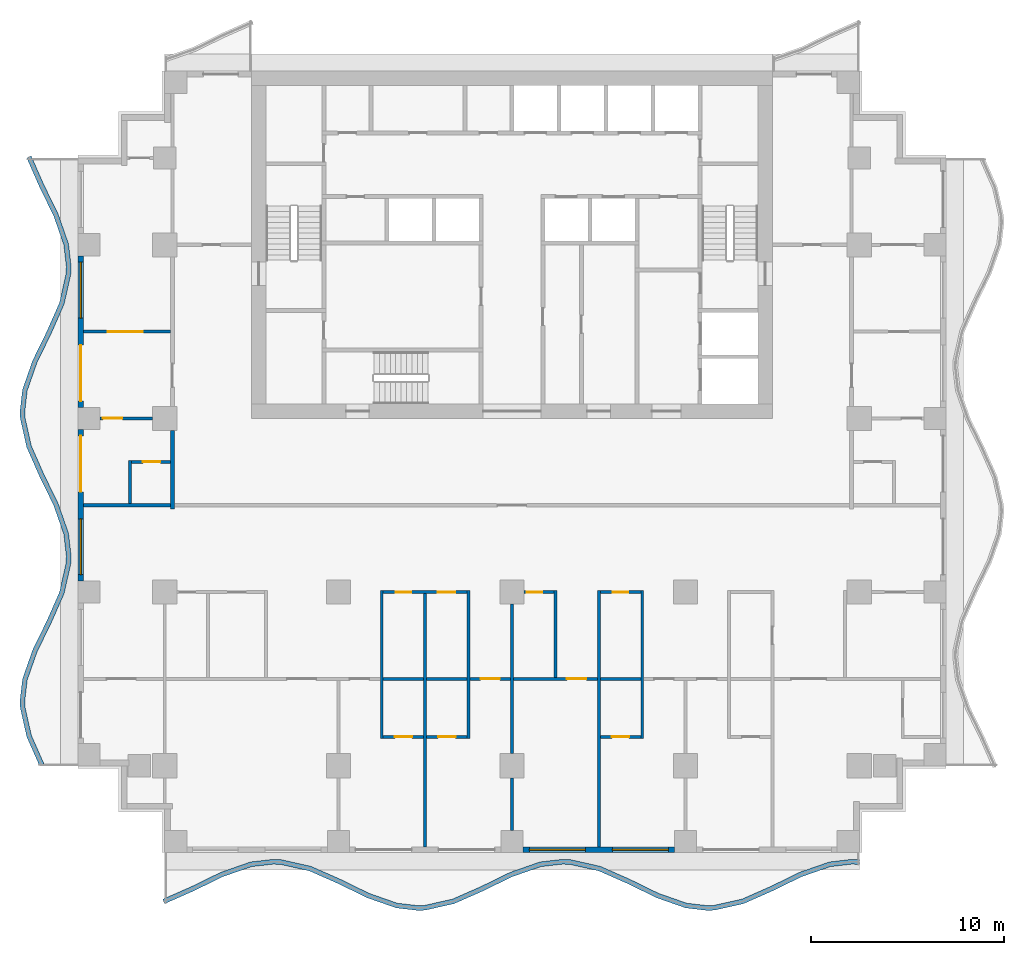
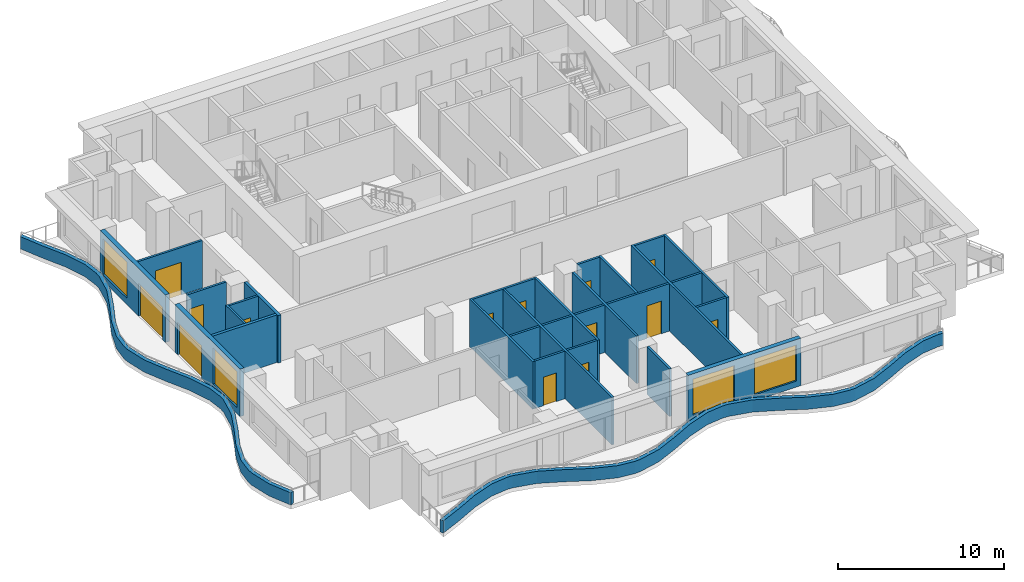
# One storey, part 2 of 10: 30 walls, 14 doors, 4 windows, 18 openings.
"""IFC4 building model written with IfcOpenShell, lengths in metres."""

from ifc_helpers import new_model, si_unit, direction, frame, frame_2d, origin, place, context, subcontext, project, spatial, polyline, rectangle, outline, extrude, material, layer, layer_set, type_object, element, fill, save


model = new_model("IFC4")

# Units and contexts
model_context = context("Model", 3, precision=1e-05, world=origin(), true_north=direction((0.0, 1.0)))
body_context = subcontext(model_context, "Body", "Model", "MODEL_VIEW")
ifc_project = project(units=[si_unit("LENGTHUNIT", "METRE"), si_unit("AREAUNIT", "SQUARE_METRE"), si_unit("VOLUMEUNIT", "CUBIC_METRE"), si_unit("PLANEANGLEUNIT", "RADIAN"), si_unit("MASSUNIT", "GRAM", prefix="KILO")], contexts=[model_context])

# Site, building, storey
site_placement = place(None, origin())
site = spatial("IfcSite", under=ifc_project, at=site_placement, CompositionType="ELEMENT")
building_placement = place(site_placement, origin())
building = spatial("IfcBuilding", under=site, at=building_placement, Name="Orbiselva Terraces", CompositionType="ELEMENT")
storey_placement = place(building_placement, frame((0.0, 0.0, 155.4)))
storey = spatial("IfcBuildingStorey", under=building, at=storey_placement, Name="L39", CompositionType="ELEMENT", Elevation=155.4)

# Walls
ifc_material_1 = material(Name="Concrete C40/50", Category="concrete")
ifc_layer_1 = layer(ifc_material_1, 0.25)
ifc_layer_set_1 = layer_set([ifc_layer_1], Name="Concrete C40/50")
wall_type_1 = type_object("IfcWallType", Name="ENV-PLANTER-250x900", PredefinedType="USERDEFINED", material=ifc_layer_set_1)
wall_1_placement = place(storey_placement, origin())
element("IfcWall", 1, at=wall_1_placement, inside=storey, type_object=wall_type_1, Name="Balcony planter L39 S", ObjectType="PLANTER", PredefinedType="USERDEFINED", context=body_context, shape_type="SweptSolid", body=[
    extrude(outline(polyline([(-18.0, -20.648528), (-16.5, -19.987721), (-15.0, -19.255211), (-13.5, -18.730792), (-12.375, -18.6), (-12.0, -18.614774), (-10.5, -18.951472), (-9.0, -19.612279), (-7.5, -20.344789), (-6.0, -20.869208), (-4.875, -21.0), (-4.5, -20.985226), (-3.0, -20.648528), (-1.5, -19.987721), (0.0, -19.255211), (1.5, -18.730792), (2.625, -18.6), (3.0, -18.614774), (4.5, -18.951472), (6.0, -19.612279), (7.5, -20.344789), (9.0, -20.869208), (10.125, -21.0), (10.5, -20.985226), (12.0, -20.648528), (13.5, -19.987721), (15.0, -19.255211), (16.5, -18.730792), (17.625, -18.6), (18.0, -18.614774), (18.009842, -18.364968), (17.615428, -18.349429), (16.443629, -18.485662), (14.90356, -19.024089), (13.394714, -19.760919), (11.921492, -20.40993), (10.467435, -20.736315), (10.134572, -20.749429), (9.056371, -20.624078), (7.59644, -20.113667), (6.105286, -19.385477), (4.578508, -18.712874), (3.032565, -18.365863), (2.615428, -18.349429), (1.443629, -18.485662), (-0.09644, -19.024089), (-1.605286, -19.760919), (-3.078508, -20.40993), (-4.532565, -20.736315), (-4.865428, -20.749429), (-5.943629, -20.624078), (-7.40356, -20.113667), (-8.894714, -19.385477), (-10.421492, -18.712874), (-11.967435, -18.365863), (-12.384572, -18.349429), (-13.556371, -18.485662), (-15.09644, -19.024089), (-16.605286, -19.760919), (-18.100788, -20.419745), (-18.0, -20.648528)])), origin(), (0.0, 0.0, 1.0), 0.9),
])
wall_2_placement = place(storey_placement, origin())
element("IfcWall", 2, at=wall_2_placement, inside=storey, type_object=wall_type_1, Name="Balcony planter L39 W", ObjectType="PLANTER", PredefinedType="USERDEFINED", context=body_context, shape_type="SweptSolid", body=[
    extrude(outline(polyline([(-25.148528, 18.0), (-24.487721, 16.5), (-23.755211, 15.0), (-23.230792, 13.5), (-23.1, 12.375), (-23.114774, 12.0), (-23.451472, 10.5), (-24.112279, 9.0), (-24.844789, 7.5), (-25.369208, 6.0), (-25.5, 4.875), (-25.485226, 4.5), (-25.148528, 3.0), (-24.487721, 1.5), (-23.755211, 0.0), (-23.230792, -1.5), (-23.1, -2.625), (-23.114774, -3.0), (-23.451472, -4.5), (-24.112279, -6.0), (-24.844789, -7.5), (-25.369208, -9.0), (-25.5, -10.125), (-25.485226, -10.5), (-25.148528, -12.0), (-24.487721, -13.5), (-24.258938, -13.399212), (-24.90993, -11.921492), (-25.236315, -10.467435), (-25.249429, -10.134572), (-25.124078, -9.056371), (-24.613667, -7.59644), (-23.885477, -6.105286), (-23.212874, -4.578508), (-22.865863, -3.032565), (-22.849429, -2.615428), (-22.985662, -1.443629), (-23.524089, 0.09644), (-24.260919, 1.605286), (-24.90993, 3.078508), (-25.236315, 4.532565), (-25.249429, 4.865428), (-25.124078, 5.943629), (-24.613667, 7.40356), (-23.885477, 8.894714), (-23.212874, 10.421492), (-22.865863, 11.967435), (-22.849429, 12.384572), (-22.985662, 13.556371), (-23.524089, 15.09644), (-24.260919, 16.605286), (-24.919745, 18.100788), (-25.148528, 18.0)])), origin(), (0.0, 0.0, 1.0), 0.9),
])

# Wall, openings, windows
ifc_material_2 = material(Name="Terracotta cladding on masonry backing", Category="masonry")
ifc_layer_2 = layer(ifc_material_2, 0.3)
ifc_layer_set_2 = layer_set([ifc_layer_2], Name="Terracotta cladding on masonry backing")
wall_type_2 = type_object("IfcWallType", Name="ENV-WALL-TERRACOTTA-300", PredefinedType="SOLIDWALL", material=ifc_layer_set_2)
wall_3_placement = place(storey_placement, frame((8.425, -17.85, 0.0), z_axis=(0.0, 0.0, 1.0), x_axis=(-1.0, 0.0, 0.0)))
wall_3 = element("IfcWall", 3, at=wall_3_placement, inside=storey, type_object=wall_type_2, Name="Facade wall L39 S", PredefinedType="SOLIDWALL", context=body_context, shape_type="SweptSolid", body=[
    extrude(rectangle(XDim=7.85, YDim=0.3, at=frame_2d((3.925, 0.0))), origin(), (0.0, 0.0, 1.0), 3.5),
])
opening_1_placement = place(wall_3_placement, frame((4.625, 0.0, 0.45)))
opening_1 = element("IfcOpeningElement", 4, at=opening_1_placement, cuts=wall_3, Name="Opening WN8", PredefinedType="OPENING", context=body_context, shape_type="SweptSolid", body=[
    extrude(rectangle(XDim=2.9, YDim=2.65, at=frame_2d((1.45, 1.325))), frame((0.0, 0.16, 0.0), z_axis=(0.0, -1.0, 0.0), x_axis=(1.0, 0.0, 0.0)), (0.0, 0.0, 1.0), 0.32),
])
opening_2_placement = place(wall_3_placement, frame((0.325, 0.0, 0.45)))
opening_2 = element("IfcOpeningElement", 5, at=opening_2_placement, cuts=wall_3, Name="Opening WN8", PredefinedType="OPENING", context=body_context, shape_type="SweptSolid", body=[
    extrude(rectangle(XDim=2.9, YDim=2.65, at=frame_2d((1.45, 1.325))), frame((0.0, 0.16, 0.0), z_axis=(0.0, -1.0, 0.0), x_axis=(1.0, 0.0, 0.0)), (0.0, 0.0, 1.0), 0.32),
])
ifc_material_3 = material(Name="Clear low-e glazing in aluminium frame", Category="aluminium")
window_type = type_object("IfcWindowType", Name="WINDOW 2900 X 2650 S450", PartitioningType="TRIPLE_PANEL_VERTICAL", PredefinedType="WINDOW", material=ifc_material_3)
window_1_placement = place(opening_1_placement, origin())
window_1 = element("IfcWindow", 6, at=window_1_placement, inside=storey, type_object=window_type, Name="Window L39 S", OverallHeight=2.65, OverallWidth=2.9, PartitioningType="SINGLE_PANEL", PredefinedType="WINDOW", context=body_context, shape_type="SweptSolid", body=[
    extrude(rectangle(XDim=2.9, YDim=2.65, at=frame_2d((1.45, 1.325))), frame((0.0, 0.03, 0.0), z_axis=(0.0, -1.0, 0.0), x_axis=(1.0, 0.0, 0.0)), (0.0, 0.0, 1.0), 0.06),
])
fill(opening_1, window_1)
window_2_placement = place(opening_2_placement, origin())
window_2 = element("IfcWindow", 7, at=window_2_placement, inside=storey, type_object=window_type, Name="Window L39 S", OverallHeight=2.65, OverallWidth=2.9, PartitioningType="SINGLE_PANEL", PredefinedType="WINDOW", context=body_context, shape_type="SweptSolid", body=[
    extrude(rectangle(XDim=2.9, YDim=2.65, at=frame_2d((1.45, 1.325))), frame((0.0, 0.03, 0.0), z_axis=(0.0, -1.0, 0.0), x_axis=(1.0, 0.0, 0.0)), (0.0, 0.0, 1.0), 0.06),
])
fill(opening_2, window_2)

# Wall, openings, door, window
wall_4_placement = place(storey_placement, frame((-22.35, 5.075, 0.0), z_axis=(0.0, 0.0, 1.0), x_axis=(0.0, 1.0, 0.0)))
wall_4 = element("IfcWall", 8, at=wall_4_placement, inside=storey, type_object=wall_type_2, Name="Facade wall L39 W", PredefinedType="SOLIDWALL", context=body_context, shape_type="SweptSolid", body=[
    extrude(rectangle(XDim=7.85, YDim=0.3, at=frame_2d((3.925, 0.0))), origin(), (0.0, 0.0, 1.0), 3.5),
])
opening_3_placement = place(wall_4_placement, frame((4.625, 0.0, 0.45)))
opening_3 = element("IfcOpeningElement", 9, at=opening_3_placement, cuts=wall_4, Name="Opening WN8", PredefinedType="OPENING", context=body_context, shape_type="SweptSolid", body=[
    extrude(rectangle(XDim=2.9, YDim=2.65, at=frame_2d((1.45, 1.325))), frame((0.0, 0.16, 0.0), z_axis=(0.0, -1.0, 0.0), x_axis=(1.0, 0.0, 0.0)), (0.0, 0.0, 1.0), 0.32),
])
opening_4_placement = place(wall_4_placement, frame((0.325, 0.0, 0.0)))
opening_4 = element("IfcOpeningElement", 10, at=opening_4_placement, cuts=wall_4, Name="Opening Z3-C-E17", PredefinedType="OPENING", context=body_context, shape_type="SweptSolid", body=[
    extrude(rectangle(XDim=2.9, YDim=2.4, at=frame_2d((1.45, 1.2))), frame((0.0, 0.16, 0.0), z_axis=(0.0, -1.0, 0.0), x_axis=(1.0, 0.0, 0.0)), (0.0, 0.0, 1.0), 0.32),
])
door_type_1 = type_object("IfcDoorType", Name="BALCONY DOOR 2900 X 2400", OperationType="DOUBLE_DOOR_SLIDING", PredefinedType="DOOR", material=ifc_material_3)
door_1_placement = place(opening_4_placement, origin())
door_1 = element("IfcDoor", 11, at=door_1_placement, inside=storey, type_object=door_type_1, Name="Z3-C-E17", OperationType="SINGLE_SWING_LEFT", OverallHeight=2.4, OverallWidth=2.9, PredefinedType="DOOR", context=body_context, shape_type="SweptSolid", body=[
    extrude(rectangle(XDim=2.9, YDim=2.4, at=frame_2d((1.45, 1.2))), frame((0.0, 0.025, 0.0), z_axis=(0.0, -1.0, 0.0), x_axis=(1.0, 0.0, 0.0)), (0.0, 0.0, 1.0), 0.05),
])
fill(opening_4, door_1)
window_3_placement = place(opening_3_placement, origin())
window_3 = element("IfcWindow", 12, at=window_3_placement, inside=storey, type_object=window_type, Name="Window L39 W", OverallHeight=2.65, OverallWidth=2.9, PartitioningType="SINGLE_PANEL", PredefinedType="WINDOW", context=body_context, shape_type="SweptSolid", body=[
    extrude(rectangle(XDim=2.9, YDim=2.65, at=frame_2d((1.45, 1.325))), frame((0.0, 0.03, 0.0), z_axis=(0.0, -1.0, 0.0), x_axis=(1.0, 0.0, 0.0)), (0.0, 0.0, 1.0), 0.06),
])
fill(opening_3, window_3)

wall_5_placement = place(storey_placement, frame((-22.35, -3.925, 0.0), z_axis=(0.0, 0.0, 1.0), x_axis=(0.0, 1.0, 0.0)))
wall_5 = element("IfcWall", 13, at=wall_5_placement, inside=storey, type_object=wall_type_2, Name="Facade wall L39 W", PredefinedType="SOLIDWALL", context=body_context, shape_type="SweptSolid", body=[
    extrude(rectangle(XDim=7.85, YDim=0.3, at=frame_2d((3.925, 0.0))), origin(), (0.0, 0.0, 1.0), 3.5),
])
opening_5_placement = place(wall_5_placement, frame((4.625, 0.0, 0.0)))
opening_5 = element("IfcOpeningElement", 14, at=opening_5_placement, cuts=wall_5, Name="Opening Z3-C-E11", PredefinedType="OPENING", context=body_context, shape_type="SweptSolid", body=[
    extrude(rectangle(XDim=2.9, YDim=2.4, at=frame_2d((1.45, 1.2))), frame((0.0, 0.16, 0.0), z_axis=(0.0, -1.0, 0.0), x_axis=(1.0, 0.0, 0.0)), (0.0, 0.0, 1.0), 0.32),
])
opening_6_placement = place(wall_5_placement, frame((0.325, 0.0, 0.45)))
opening_6 = element("IfcOpeningElement", 15, at=opening_6_placement, cuts=wall_5, Name="Opening WN8", PredefinedType="OPENING", context=body_context, shape_type="SweptSolid", body=[
    extrude(rectangle(XDim=2.9, YDim=2.65, at=frame_2d((1.45, 1.325))), frame((0.0, 0.16, 0.0), z_axis=(0.0, -1.0, 0.0), x_axis=(1.0, 0.0, 0.0)), (0.0, 0.0, 1.0), 0.32),
])
door_2_placement = place(opening_5_placement, origin())
door_2 = element("IfcDoor", 16, at=door_2_placement, inside=storey, type_object=door_type_1, Name="Z3-C-E11", OperationType="SINGLE_SWING_LEFT", OverallHeight=2.4, OverallWidth=2.9, PredefinedType="DOOR", context=body_context, shape_type="SweptSolid", body=[
    extrude(rectangle(XDim=2.9, YDim=2.4, at=frame_2d((1.45, 1.2))), frame((0.0, 0.025, 0.0), z_axis=(0.0, -1.0, 0.0), x_axis=(1.0, 0.0, 0.0)), (0.0, 0.0, 1.0), 0.05),
])
fill(opening_5, door_2)
window_4_placement = place(opening_6_placement, origin())
window_4 = element("IfcWindow", 17, at=window_4_placement, inside=storey, type_object=window_type, Name="Window L39 W", OverallHeight=2.65, OverallWidth=2.9, PartitioningType="SINGLE_PANEL", PredefinedType="WINDOW", context=body_context, shape_type="SweptSolid", body=[
    extrude(rectangle(XDim=2.9, YDim=2.65, at=frame_2d((1.45, 1.325))), frame((0.0, 0.03, 0.0), z_axis=(0.0, -1.0, 0.0), x_axis=(1.0, 0.0, 0.0)), (0.0, 0.0, 1.0), 0.06),
])
fill(opening_6, window_4)

# Wall
ifc_material_4 = material(Name="Plasterboard on steel stud partition", Category="steel")
ifc_layer_3 = layer(ifc_material_4, 0.2)
ifc_layer_set_3 = layer_set([ifc_layer_3], Name="Plasterboard on steel stud partition")
wall_type_3 = type_object("IfcWallType", Name="UNIT-ENTRANCE-WALL-200", PredefinedType="PARTITIONING", material=ifc_layer_set_3)
wall_6_placement = place(storey_placement, frame((-17.6, -0.2, 0.0), z_axis=(0.0, 0.0, 1.0), x_axis=(0.0, 1.0, 0.0)))
element("IfcWall", 18, at=wall_6_placement, inside=storey, type_object=wall_type_3, Name="PARTITION L39-038", PredefinedType="PARTITIONING", context=body_context, shape_type="SweptSolid", body=[
    extrude(rectangle(XDim=4.075, YDim=0.2, at=frame_2d((2.0375, 0.0))), origin(), (0.0, 0.0, 1.0), 3.5),
])

# Wall, opening, door
ifc_layer_4 = layer(ifc_material_4, 0.15)
ifc_layer_set_4 = layer_set([ifc_layer_4], Name="Plasterboard on steel stud partition")
wall_type_4 = type_object("IfcWallType", Name="UNIT-PARTITION-150", PredefinedType="PARTITIONING", material=ifc_layer_set_4)
wall_7_placement = place(storey_placement, frame((-6.675, -12.0, 0.0), z_axis=(0.0, 0.0, 1.0), x_axis=(1.0, 0.0, 0.0)))
wall_7 = element("IfcWall", 19, at=wall_7_placement, inside=storey, type_object=wall_type_4, Name="PARTITION L39-001", PredefinedType="PARTITIONING", context=body_context, shape_type="SweptSolid", body=[
    extrude(rectangle(XDim=2.1, YDim=0.15, at=frame_2d((1.05, 0.0))), origin(), (0.0, 0.0, 1.0), 3.5),
])
opening_7_placement = place(wall_7_placement, frame((0.6, 0.0, 0.0)))
opening_7 = element("IfcOpeningElement", 20, at=opening_7_placement, cuts=wall_7, Name="Opening Z3-C-32", PredefinedType="OPENING", context=body_context, shape_type="SweptSolid", body=[
    extrude(rectangle(XDim=0.9, YDim=2.1, at=frame_2d((0.45, 1.05))), frame((0.0, 0.085, 0.0), z_axis=(0.0, -1.0, 0.0), x_axis=(1.0, 0.0, 0.0)), (0.0, 0.0, 1.0), 0.17),
])
ifc_material_5 = material(Name="Painted timber door leaf", Category="wood")
door_type_2 = type_object("IfcDoorType", Name="BATH DOOR 900", OperationType="NOTDEFINED", PredefinedType="DOOR", material=ifc_material_5)
door_3_placement = place(opening_7_placement, origin())
door_3 = element("IfcDoor", 21, at=door_3_placement, inside=storey, type_object=door_type_2, Name="Z3-C-32", OperationType="SINGLE_SWING_LEFT", OverallHeight=2.1, OverallWidth=0.9, PredefinedType="DOOR", context=body_context, shape_type="SweptSolid", body=[
    extrude(rectangle(XDim=0.9, YDim=2.1, at=frame_2d((0.45, 1.05))), frame((0.0, 0.025, 0.0), z_axis=(0.0, -1.0, 0.0), x_axis=(1.0, 0.0, 0.0)), (0.0, 0.0, 1.0), 0.05),
])
fill(opening_7, door_3)

wall_8_placement = place(storey_placement, frame((-4.425, -12.0, 0.0), z_axis=(0.0, 0.0, 1.0), x_axis=(1.0, 0.0, 0.0)))
wall_8 = element("IfcWall", 22, at=wall_8_placement, inside=storey, type_object=wall_type_4, Name="PARTITION L39-002", PredefinedType="PARTITIONING", context=body_context, shape_type="SweptSolid", body=[
    extrude(rectangle(XDim=2.1, YDim=0.15, at=frame_2d((1.05, 0.0))), origin(), (0.0, 0.0, 1.0), 3.5),
])
opening_8_placement = place(wall_8_placement, frame((0.6, 0.0, 0.0)))
opening_8 = element("IfcOpeningElement", 23, at=opening_8_placement, cuts=wall_8, Name="Opening Z3-C-30", PredefinedType="OPENING", context=body_context, shape_type="SweptSolid", body=[
    extrude(rectangle(XDim=0.9, YDim=2.1, at=frame_2d((0.45, 1.05))), frame((0.0, 0.085, 0.0), z_axis=(0.0, -1.0, 0.0), x_axis=(1.0, 0.0, 0.0)), (0.0, 0.0, 1.0), 0.17),
])
door_4_placement = place(opening_8_placement, origin())
door_4 = element("IfcDoor", 24, at=door_4_placement, inside=storey, type_object=door_type_2, Name="Z3-C-30", OperationType="SINGLE_SWING_RIGHT", OverallHeight=2.1, OverallWidth=0.9, PredefinedType="DOOR", context=body_context, shape_type="SweptSolid", body=[
    extrude(rectangle(XDim=0.9, YDim=2.1, at=frame_2d((0.45, 1.05))), frame((0.0, 0.025, 0.0), z_axis=(0.0, -1.0, 0.0), x_axis=(1.0, 0.0, 0.0)), (0.0, 0.0, 1.0), 0.05),
])
fill(opening_8, door_4)

wall_9_placement = place(storey_placement, frame((4.575, -12.0, 0.0), z_axis=(0.0, 0.0, 1.0), x_axis=(1.0, 0.0, 0.0)))
wall_9 = element("IfcWall", 25, at=wall_9_placement, inside=storey, type_object=wall_type_4, Name="PARTITION L39-003", PredefinedType="PARTITIONING", context=body_context, shape_type="SweptSolid", body=[
    extrude(rectangle(XDim=2.1, YDim=0.15, at=frame_2d((1.05, 0.0))), origin(), (0.0, 0.0, 1.0), 3.5),
])
opening_9_placement = place(wall_9_placement, frame((0.6, 0.0, 0.0)))
opening_9 = element("IfcOpeningElement", 26, at=opening_9_placement, cuts=wall_9, Name="Opening Z3-C-27", PredefinedType="OPENING", context=body_context, shape_type="SweptSolid", body=[
    extrude(rectangle(XDim=0.9, YDim=2.1, at=frame_2d((0.45, 1.05))), frame((0.0, 0.085, 0.0), z_axis=(0.0, -1.0, 0.0), x_axis=(1.0, 0.0, 0.0)), (0.0, 0.0, 1.0), 0.17),
])
door_5_placement = place(opening_9_placement, origin())
door_5 = element("IfcDoor", 27, at=door_5_placement, inside=storey, type_object=door_type_2, Name="Z3-C-27", OperationType="SINGLE_SWING_LEFT", OverallHeight=2.1, OverallWidth=0.9, PredefinedType="DOOR", context=body_context, shape_type="SweptSolid", body=[
    extrude(rectangle(XDim=0.9, YDim=2.1, at=frame_2d((0.45, 1.05))), frame((0.0, 0.025, 0.0), z_axis=(0.0, -1.0, 0.0), x_axis=(1.0, 0.0, 0.0)), (0.0, 0.0, 1.0), 0.05),
])
fill(opening_9, door_5)

# Walls
for number, where, z_axis, x_axis, name in (
    (28, (-6.675, -9.0, 0.0), (0.0, 0.0, 1.0), (1.0, 0.0, 0.0), "PARTITION L39-008"),
    (29, (-4.425, -9.0, 0.0), (0.0, 0.0, 1.0), (1.0, 0.0, 0.0), "PARTITION L39-009"),
):
    element("IfcWall", number, at=place(storey_placement, frame(where, z_axis=z_axis, x_axis=x_axis)), inside=storey, type_object=wall_type_4, Name=name, PredefinedType="PARTITIONING", context=body_context, shape_type="SweptSolid", body=[
        extrude(rectangle(XDim=2.1, YDim=0.15, at=frame_2d((1.05, 0.0))), origin(), (0.0, 0.0, 1.0), 3.5),
    ])

# Wall, opening, door
wall_10_placement = place(storey_placement, frame((-0.075, -9.0, 0.0), z_axis=(0.0, 0.0, 1.0), x_axis=(-1.0, 0.0, 0.0)))
wall_10 = element("IfcWall", 30, at=wall_10_placement, inside=storey, type_object=wall_type_4, Name="PARTITION L39-010", PredefinedType="PARTITIONING", context=body_context, shape_type="SweptSolid", body=[
    extrude(rectangle(XDim=2.1, YDim=0.15, at=frame_2d((1.05, 0.0))), origin(), (0.0, 0.0, 1.0), 3.5),
])
opening_10_placement = place(wall_10_placement, frame((0.55, 0.0, 0.0)))
opening_10 = element("IfcOpeningElement", 31, at=opening_10_placement, cuts=wall_10, Name="Opening Z3-C-29", PredefinedType="OPENING", context=body_context, shape_type="SweptSolid", body=[
    extrude(rectangle(XDim=1.0, YDim=2.4, at=frame_2d((0.5, 1.2))), frame((0.0, 0.085, 0.0), z_axis=(0.0, -1.0, 0.0), x_axis=(1.0, 0.0, 0.0)), (0.0, 0.0, 1.0), 0.17),
])
door_type_3 = type_object("IfcDoorType", Name="ROOM DOOR 1000", OperationType="NOTDEFINED", PredefinedType="DOOR", material=ifc_material_5)
door_6_placement = place(opening_10_placement, origin())
door_6 = element("IfcDoor", 32, at=door_6_placement, inside=storey, type_object=door_type_3, Name="Z3-C-29", OperationType="SINGLE_SWING_RIGHT", OverallHeight=2.4, OverallWidth=1.0, PredefinedType="DOOR", context=body_context, shape_type="SweptSolid", body=[
    extrude(rectangle(XDim=1.0, YDim=2.4, at=frame_2d((0.5, 1.2))), frame((0.0, 0.025, 0.0), z_axis=(0.0, -1.0, 0.0), x_axis=(1.0, 0.0, 0.0)), (0.0, 0.0, 1.0), 0.05),
])
fill(opening_10, door_6)

wall_11_placement = place(storey_placement, frame((4.425, -9.0, 0.0), z_axis=(0.0, 0.0, 1.0), x_axis=(-1.0, 0.0, 0.0)))
wall_11 = element("IfcWall", 33, at=wall_11_placement, inside=storey, type_object=wall_type_4, Name="PARTITION L39-011", PredefinedType="PARTITIONING", context=body_context, shape_type="SweptSolid", body=[
    extrude(rectangle(XDim=4.35, YDim=0.15, at=frame_2d((2.175, 0.0))), origin(), (0.0, 0.0, 1.0), 3.5),
])
opening_11_placement = place(wall_11_placement, frame((0.575, 0.0, 0.0)))
opening_11 = element("IfcOpeningElement", 34, at=opening_11_placement, cuts=wall_11, Name="Opening Z3-C-28", PredefinedType="OPENING", context=body_context, shape_type="SweptSolid", body=[
    extrude(rectangle(XDim=1.0, YDim=2.4, at=frame_2d((0.5, 1.2))), frame((0.0, 0.085, 0.0), z_axis=(0.0, -1.0, 0.0), x_axis=(1.0, 0.0, 0.0)), (0.0, 0.0, 1.0), 0.17),
])
door_7_placement = place(opening_11_placement, origin())
door_7 = element("IfcDoor", 35, at=door_7_placement, inside=storey, type_object=door_type_3, Name="Z3-C-28", OperationType="SINGLE_SWING_LEFT", OverallHeight=2.4, OverallWidth=1.0, PredefinedType="DOOR", context=body_context, shape_type="SweptSolid", body=[
    extrude(rectangle(XDim=1.0, YDim=2.4, at=frame_2d((0.5, 1.2))), frame((0.0, 0.025, 0.0), z_axis=(0.0, -1.0, 0.0), x_axis=(1.0, 0.0, 0.0)), (0.0, 0.0, 1.0), 0.05),
])
fill(opening_11, door_7)

# Wall
wall_12_placement = place(storey_placement, frame((4.575, -9.0, 0.0), z_axis=(0.0, 0.0, 1.0), x_axis=(1.0, 0.0, 0.0)))
element("IfcWall", 36, at=wall_12_placement, inside=storey, type_object=wall_type_4, Name="PARTITION L39-012", PredefinedType="PARTITIONING", context=body_context, shape_type="SweptSolid", body=[
    extrude(rectangle(XDim=2.1, YDim=0.15, at=frame_2d((1.05, 0.0))), origin(), (0.0, 0.0, 1.0), 3.5),
])

# Wall, openings, doors
wall_13_placement = place(storey_placement, frame((-2.325, -4.5, 0.0), z_axis=(0.0, 0.0, 1.0), x_axis=(-1.0, 0.0, 0.0)))
wall_13 = element("IfcWall", 37, at=wall_13_placement, inside=storey, type_object=wall_type_4, Name="PARTITION L39-017", PredefinedType="PARTITIONING", context=body_context, shape_type="SweptSolid", body=[
    extrude(rectangle(XDim=4.35, YDim=0.15, at=frame_2d((2.175, 0.0))), origin(), (0.0, 0.0, 1.0), 3.5),
])
opening_12_placement = place(wall_13_placement, frame((0.625, 0.0, 0.0)))
opening_12 = element("IfcOpeningElement", 38, at=opening_12_placement, cuts=wall_13, Name="Opening Z3-C-18", PredefinedType="OPENING", context=body_context, shape_type="SweptSolid", body=[
    extrude(rectangle(XDim=0.9, YDim=2.1, at=frame_2d((0.45, 1.05))), frame((0.0, 0.085, 0.0), z_axis=(0.0, -1.0, 0.0), x_axis=(1.0, 0.0, 0.0)), (0.0, 0.0, 1.0), 0.17),
])
opening_13_placement = place(wall_13_placement, frame((2.9, 0.0, 0.0)))
opening_13 = element("IfcOpeningElement", 39, at=opening_13_placement, cuts=wall_13, Name="Opening Z3-C-19", PredefinedType="OPENING", context=body_context, shape_type="SweptSolid", body=[
    extrude(rectangle(XDim=0.8, YDim=2.0, at=frame_2d((0.4, 1.0))), frame((0.0, 0.085, 0.0), z_axis=(0.0, -1.0, 0.0), x_axis=(1.0, 0.0, 0.0)), (0.0, 0.0, 1.0), 0.17),
])
door_type_4 = type_object("IfcDoorType", Name="SERVICE DOOR 900", OperationType="NOTDEFINED", PredefinedType="DOOR", material=ifc_material_5)
door_8_placement = place(opening_12_placement, origin())
door_8 = element("IfcDoor", 40, at=door_8_placement, inside=storey, type_object=door_type_4, Name="Z3-C-18", OperationType="SINGLE_SWING_LEFT", OverallHeight=2.1, OverallWidth=0.9, PredefinedType="DOOR", context=body_context, shape_type="SweptSolid", body=[
    extrude(rectangle(XDim=0.9, YDim=2.1, at=frame_2d((0.45, 1.05))), frame((0.0, 0.025, 0.0), z_axis=(0.0, -1.0, 0.0), x_axis=(1.0, 0.0, 0.0)), (0.0, 0.0, 1.0), 0.05),
])
fill(opening_12, door_8)
door_type_5 = type_object("IfcDoorType", Name="STORE DOOR 800", OperationType="NOTDEFINED", PredefinedType="DOOR", material=ifc_material_5)
door_9_placement = place(opening_13_placement, origin())
door_9 = element("IfcDoor", 41, at=door_9_placement, inside=storey, type_object=door_type_5, Name="Z3-C-19", OperationType="SINGLE_SWING_RIGHT", OverallHeight=2.0, OverallWidth=0.8, PredefinedType="DOOR", context=body_context, shape_type="SweptSolid", body=[
    extrude(rectangle(XDim=0.8, YDim=2.0, at=frame_2d((0.4, 1.0))), frame((0.0, 0.025, 0.0), z_axis=(0.0, -1.0, 0.0), x_axis=(1.0, 0.0, 0.0)), (0.0, 0.0, 1.0), 0.05),
])
fill(opening_13, door_9)

# Wall, opening, door
wall_14_placement = place(storey_placement, frame((2.175, -4.5, 0.0), z_axis=(0.0, 0.0, 1.0), x_axis=(-1.0, 0.0, 0.0)))
wall_14 = element("IfcWall", 42, at=wall_14_placement, inside=storey, type_object=wall_type_4, Name="PARTITION L39-018", PredefinedType="PARTITIONING", context=body_context, shape_type="SweptSolid", body=[
    extrude(rectangle(XDim=1.55, YDim=0.15, at=frame_2d((0.775, 0.0))), origin(), (0.0, 0.0, 1.0), 3.5),
])
opening_14_placement = place(wall_14_placement, frame((0.6, 0.0, 0.0)))
opening_14 = element("IfcOpeningElement", 43, at=opening_14_placement, cuts=wall_14, Name="Opening Z3-C-17", PredefinedType="OPENING", context=body_context, shape_type="SweptSolid", body=[
    extrude(rectangle(XDim=0.8, YDim=2.0, at=frame_2d((0.4, 1.0))), frame((0.0, 0.085, 0.0), z_axis=(0.0, -1.0, 0.0), x_axis=(1.0, 0.0, 0.0)), (0.0, 0.0, 1.0), 0.17),
])
door_10_placement = place(opening_14_placement, origin())
door_10 = element("IfcDoor", 44, at=door_10_placement, inside=storey, type_object=door_type_5, Name="Z3-C-17", OperationType="SINGLE_SWING_RIGHT", OverallHeight=2.0, OverallWidth=0.8, PredefinedType="DOOR", context=body_context, shape_type="SweptSolid", body=[
    extrude(rectangle(XDim=0.8, YDim=2.0, at=frame_2d((0.4, 1.0))), frame((0.0, 0.025, 0.0), z_axis=(0.0, -1.0, 0.0), x_axis=(1.0, 0.0, 0.0)), (0.0, 0.0, 1.0), 0.05),
])
fill(opening_14, door_10)

wall_15_placement = place(storey_placement, frame((6.675, -4.5, 0.0), z_axis=(0.0, 0.0, 1.0), x_axis=(-1.0, 0.0, 0.0)))
wall_15 = element("IfcWall", 45, at=wall_15_placement, inside=storey, type_object=wall_type_4, Name="PARTITION L39-019", PredefinedType="PARTITIONING", context=body_context, shape_type="SweptSolid", body=[
    extrude(rectangle(XDim=2.1, YDim=0.15, at=frame_2d((1.05, 0.0))), origin(), (0.0, 0.0, 1.0), 3.5),
])
opening_15_placement = place(wall_15_placement, frame((0.65, 0.0, 0.0)))
opening_15 = element("IfcOpeningElement", 46, at=opening_15_placement, cuts=wall_15, Name="Opening Z3-C-16", PredefinedType="OPENING", context=body_context, shape_type="SweptSolid", body=[
    extrude(rectangle(XDim=0.8, YDim=2.0, at=frame_2d((0.4, 1.0))), frame((0.0, 0.085, 0.0), z_axis=(0.0, -1.0, 0.0), x_axis=(1.0, 0.0, 0.0)), (0.0, 0.0, 1.0), 0.17),
])
door_11_placement = place(opening_15_placement, origin())
door_11 = element("IfcDoor", 47, at=door_11_placement, inside=storey, type_object=door_type_5, Name="Z3-C-16", OperationType="SINGLE_SWING_RIGHT", OverallHeight=2.0, OverallWidth=0.8, PredefinedType="DOOR", context=body_context, shape_type="SweptSolid", body=[
    extrude(rectangle(XDim=0.8, YDim=2.0, at=frame_2d((0.4, 1.0))), frame((0.0, 0.025, 0.0), z_axis=(0.0, -1.0, 0.0), x_axis=(1.0, 0.0, 0.0)), (0.0, 0.0, 1.0), 0.05),
])
fill(opening_15, door_11)

wall_16_placement = place(storey_placement, frame((-17.7, 2.25, 0.0), z_axis=(0.0, 0.0, 1.0), x_axis=(-1.0, 0.0, 0.0)))
wall_16 = element("IfcWall", 48, at=wall_16_placement, inside=storey, type_object=wall_type_4, Name="PARTITION L39-025", PredefinedType="PARTITIONING", context=body_context, shape_type="SweptSolid", body=[
    extrude(rectangle(XDim=2.03, YDim=0.15, at=frame_2d((1.015, 0.0))), origin(), (0.0, 0.0, 1.0), 3.5),
])
opening_16_placement = place(wall_16_placement, frame((0.53, 0.0, 0.0)))
opening_16 = element("IfcOpeningElement", 49, at=opening_16_placement, cuts=wall_16, Name="Opening Z3-C-04", PredefinedType="OPENING", context=body_context, shape_type="SweptSolid", body=[
    extrude(rectangle(XDim=0.9, YDim=2.1, at=frame_2d((0.45, 1.05))), frame((0.0, 0.085, 0.0), z_axis=(0.0, -1.0, 0.0), x_axis=(1.0, 0.0, 0.0)), (0.0, 0.0, 1.0), 0.17),
])
door_12_placement = place(opening_16_placement, origin())
door_12 = element("IfcDoor", 50, at=door_12_placement, inside=storey, type_object=door_type_2, Name="Z3-C-04", OperationType="SINGLE_SWING_LEFT", OverallHeight=2.1, OverallWidth=0.9, PredefinedType="DOOR", context=body_context, shape_type="SweptSolid", body=[
    extrude(rectangle(XDim=0.9, YDim=2.1, at=frame_2d((0.45, 1.05))), frame((0.0, 0.025, 0.0), z_axis=(0.0, -1.0, 0.0), x_axis=(1.0, 0.0, 0.0)), (0.0, 0.0, 1.0), 0.05),
])
fill(opening_16, door_12)

wall_17_placement = place(storey_placement, frame((-18.625, 4.5, 0.0), z_axis=(0.0, 0.0, 1.0), x_axis=(-1.0, 0.0, 0.0)))
wall_17 = element("IfcWall", 51, at=wall_17_placement, inside=storey, type_object=wall_type_4, Name="PARTITION L39-027", PredefinedType="PARTITIONING", context=body_context, shape_type="SweptSolid", body=[
    extrude(rectangle(XDim=2.725, YDim=0.15, at=frame_2d((1.3625, 0.0))), origin(), (0.0, 0.0, 1.0), 3.5),
])
opening_17_placement = place(wall_17_placement, frame((1.575, 0.0, 0.0)))
opening_17 = element("IfcOpeningElement", 52, at=opening_17_placement, cuts=wall_17, Name="Opening Z3-C-03", PredefinedType="OPENING", context=body_context, shape_type="SweptSolid", body=[
    extrude(rectangle(XDim=1.0, YDim=2.4, at=frame_2d((0.5, 1.2))), frame((0.0, 0.085, 0.0), z_axis=(0.0, -1.0, 0.0), x_axis=(1.0, 0.0, 0.0)), (0.0, 0.0, 1.0), 0.17),
])
door_13_placement = place(opening_17_placement, origin())
door_13 = element("IfcDoor", 53, at=door_13_placement, inside=storey, type_object=door_type_3, Name="Z3-C-03", OperationType="SINGLE_SWING_RIGHT", OverallHeight=2.4, OverallWidth=1.0, PredefinedType="DOOR", context=body_context, shape_type="SweptSolid", body=[
    extrude(rectangle(XDim=1.0, YDim=2.4, at=frame_2d((0.5, 1.2))), frame((0.0, 0.025, 0.0), z_axis=(0.0, -1.0, 0.0), x_axis=(1.0, 0.0, 0.0)), (0.0, 0.0, 1.0), 0.05),
])
fill(opening_17, door_13)

wall_18_placement = place(storey_placement, frame((-22.2, 9.0, 0.0), z_axis=(0.0, 0.0, 1.0), x_axis=(1.0, 0.0, 0.0)))
wall_18 = element("IfcWall", 54, at=wall_18_placement, inside=storey, type_object=wall_type_4, Name="PARTITION L39-029", PredefinedType="PARTITIONING", context=body_context, shape_type="SweptSolid", body=[
    extrude(rectangle(XDim=4.5, YDim=0.15, at=frame_2d((2.25, 0.0))), origin(), (0.0, 0.0, 1.0), 3.5),
])
opening_18_placement = place(wall_18_placement, frame((1.25, 0.0, 0.0)))
opening_18 = element("IfcOpeningElement", 55, at=opening_18_placement, cuts=wall_18, Name="Opening Z3-C-06", PredefinedType="OPENING", context=body_context, shape_type="SweptSolid", body=[
    extrude(rectangle(XDim=1.8, YDim=2.4, at=frame_2d((0.9, 1.2))), frame((0.0, 0.085, 0.0), z_axis=(0.0, -1.0, 0.0), x_axis=(1.0, 0.0, 0.0)), (0.0, 0.0, 1.0), 0.17),
])
door_type_6 = type_object("IfcDoorType", Name="DOUBLE DOOR 1800", OperationType="NOTDEFINED", PredefinedType="DOOR", material=ifc_material_5)
door_14_placement = place(opening_18_placement, origin())
door_14 = element("IfcDoor", 56, at=door_14_placement, inside=storey, type_object=door_type_6, Name="Z3-C-06", OperationType="DOUBLE_DOOR_SINGLE_SWING", OverallHeight=2.4, OverallWidth=1.8, PredefinedType="DOOR", context=body_context, shape_type="SweptSolid", body=[
    extrude(rectangle(XDim=1.8, YDim=2.4, at=frame_2d((0.9, 1.2))), frame((0.0, 0.025, 0.0), z_axis=(0.0, -1.0, 0.0), x_axis=(1.0, 0.0, 0.0)), (0.0, 0.0, 1.0), 0.05),
])
fill(opening_18, door_14)

# Walls
wall_19_placement = place(storey_placement, frame((-19.805, 0.1, 0.0), z_axis=(0.0, 0.0, 1.0), x_axis=(0.0, 1.0, 0.0)))
element("IfcWall", 57, at=wall_19_placement, inside=storey, type_object=wall_type_4, Name="PARTITION L39-035", PredefinedType="PARTITIONING", context=body_context, shape_type="SweptSolid", body=[
    extrude(rectangle(XDim=2.225, YDim=0.15, at=frame_2d((1.1125, 0.0))), origin(), (0.0, 0.0, 1.0), 3.5),
])
wall_20_placement = place(storey_placement, frame((-6.75, -12.075, 0.0), z_axis=(0.0, 0.0, 1.0), x_axis=(0.0, 1.0, 0.0)))
element("IfcWall", 58, at=wall_20_placement, inside=storey, type_object=wall_type_4, Name="PARTITION L39-046", PredefinedType="PARTITIONING", context=body_context, shape_type="SweptSolid", body=[
    extrude(rectangle(XDim=7.65, YDim=0.15, at=frame_2d((3.825, 0.0))), origin(), (0.0, 0.0, 1.0), 3.5),
])
wall_21_placement = place(storey_placement, frame((-4.5, -17.7, 0.0), z_axis=(0.0, 0.0, 1.0), x_axis=(0.0, 1.0, 0.0)))
element("IfcWall", 59, at=wall_21_placement, inside=storey, type_object=wall_type_4, Name="PARTITION L39-047", PredefinedType="PARTITIONING", context=body_context, shape_type="SweptSolid", body=[
    extrude(rectangle(XDim=13.125, YDim=0.15, at=frame_2d((6.5625, 0.0))), origin(), (0.0, 0.0, 1.0), 3.5),
])
wall_22_placement = place(storey_placement, frame((-2.25, -12.075, 0.0), z_axis=(0.0, 0.0, 1.0), x_axis=(0.0, 1.0, 0.0)))
element("IfcWall", 60, at=wall_22_placement, inside=storey, type_object=wall_type_4, Name="PARTITION L39-048", PredefinedType="PARTITIONING", context=body_context, shape_type="SweptSolid", body=[
    extrude(rectangle(XDim=7.65, YDim=0.15, at=frame_2d((3.825, 0.0))), origin(), (0.0, 0.0, 1.0), 3.5),
])
wall_23_placement = place(storey_placement, frame((0.0, -16.85, 0.0), z_axis=(0.0, 0.0, 1.0), x_axis=(0.0, 1.0, 0.0)))
element("IfcWall", 61, at=wall_23_placement, inside=storey, type_object=wall_type_4, Name="PARTITION L39-049", PredefinedType="PARTITIONING", context=body_context, shape_type="SweptSolid", body=[
    extrude(rectangle(XDim=2.725, YDim=0.15, at=frame_2d((1.3625, 0.0))), origin(), (0.0, 0.0, 1.0), 3.5),
])
wall_24_placement = place(storey_placement, frame((0.0, -12.875, 0.0), z_axis=(0.0, 0.0, 1.0), x_axis=(0.0, 1.0, 0.0)))
element("IfcWall", 62, at=wall_24_placement, inside=storey, type_object=wall_type_4, Name="PARTITION L39-050", PredefinedType="PARTITIONING", context=body_context, shape_type="SweptSolid", body=[
    extrude(rectangle(XDim=7.75, YDim=0.15, at=frame_2d((3.875, 0.0))), origin(), (0.0, 0.0, 1.0), 3.5),
])
wall_25_placement = place(storey_placement, frame((2.25, -8.925, 0.0), z_axis=(0.0, 0.0, 1.0), x_axis=(0.0, 1.0, 0.0)))
element("IfcWall", 63, at=wall_25_placement, inside=storey, type_object=wall_type_4, Name="PARTITION L39-051", PredefinedType="PARTITIONING", context=body_context, shape_type="SweptSolid", body=[
    extrude(rectangle(XDim=4.5, YDim=0.15, at=frame_2d((2.25, 0.0))), origin(), (0.0, 0.0, 1.0), 3.5),
])
wall_26_placement = place(storey_placement, frame((4.5, -17.7, 0.0), z_axis=(0.0, 0.0, 1.0), x_axis=(0.0, 1.0, 0.0)))
element("IfcWall", 64, at=wall_26_placement, inside=storey, type_object=wall_type_4, Name="PARTITION L39-052", PredefinedType="PARTITIONING", context=body_context, shape_type="SweptSolid", body=[
    extrude(rectangle(XDim=13.275, YDim=0.15, at=frame_2d((6.6375, 0.0))), origin(), (0.0, 0.0, 1.0), 3.5),
])
wall_27_placement = place(storey_placement, frame((6.75, -12.075, 0.0), z_axis=(0.0, 0.0, 1.0), x_axis=(0.0, 1.0, 0.0)))
element("IfcWall", 65, at=wall_27_placement, inside=storey, type_object=wall_type_4, Name="PARTITION L39-053", PredefinedType="PARTITIONING", context=body_context, shape_type="SweptSolid", body=[
    extrude(rectangle(XDim=7.65, YDim=0.15, at=frame_2d((3.825, 0.0))), origin(), (0.0, 0.0, 1.0), 3.5),
])
ifc_layer_5 = layer(ifc_material_4, 0.2)
ifc_layer_set_5 = layer_set([ifc_layer_5], Name="Plasterboard on steel stud partition")
wall_type_5 = type_object("IfcWallType", Name="UNIT-PARTY-WALL-200", PredefinedType="PARTITIONING", material=ifc_layer_set_5)
wall_28_placement = place(storey_placement, frame((-22.2, 0.0, 0.0), z_axis=(0.0, 0.0, 1.0), x_axis=(1.0, 0.0, 0.0)))
element("IfcWall", 66, at=wall_28_placement, inside=storey, type_object=wall_type_5, Name="PARTITION L39-023", PredefinedType="PARTITIONING", context=body_context, shape_type="SweptSolid", body=[
    extrude(rectangle(XDim=4.5, YDim=0.2, at=frame_2d((2.25, 0.0))), origin(), (0.0, 0.0, 1.0), 3.5),
])

save(model, "model.ifc")
